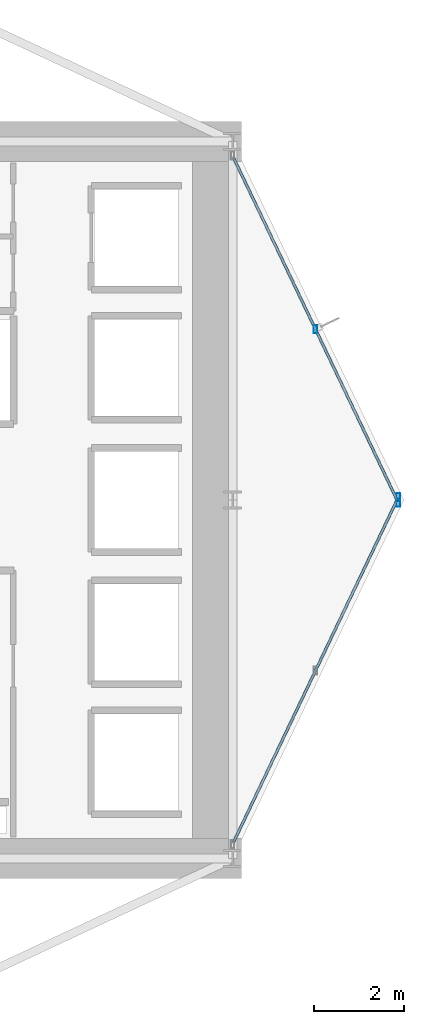
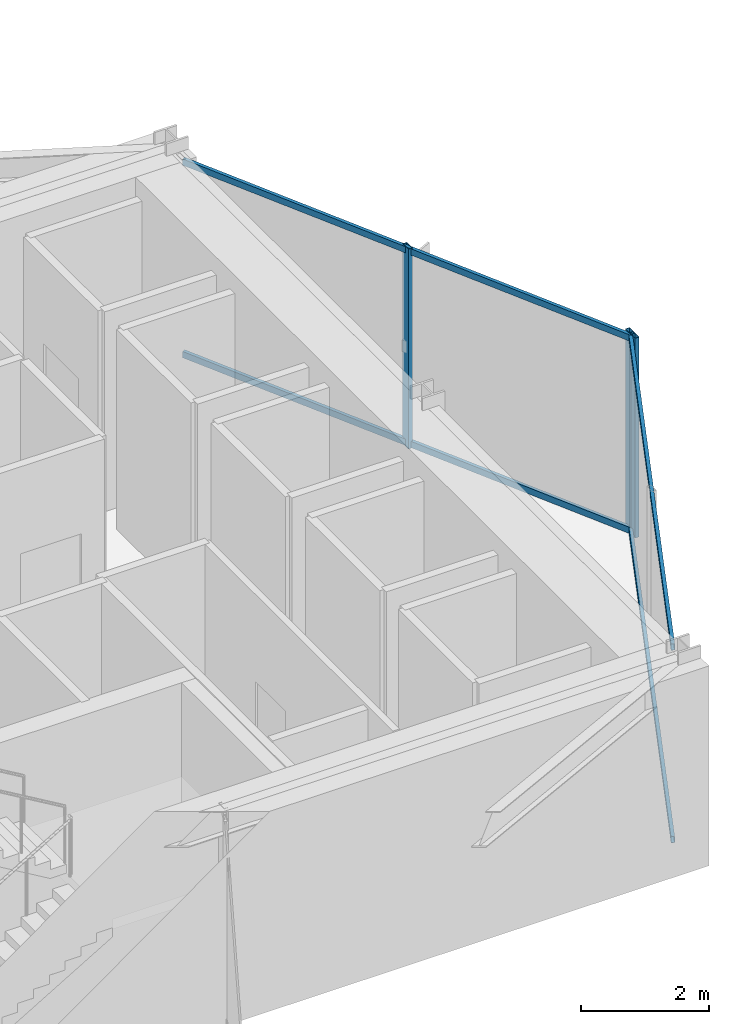
# One storey, part 15 of 25: 7 members, 2 elements without a shape of their own.
"""IFC4 building model written with IfcOpenShell, lengths in metres."""

from ifc_helpers import new_model, si_unit, direction, frame, origin, origin_2d, place, context, subcontext, project, spatial, hollow_rectangle, extrude, material, layer, layer_set, material_profile, profile_set, type_object, element, aggregate, save


model = new_model("IFC4")

# Units and contexts
model_context = context("Model", 3, precision=1e-05, world=origin(), true_north=direction((0.0, 1.0)))
body_context = subcontext(model_context, "Body", "Model", "MODEL_VIEW")
ifc_project = project(units=[si_unit("LENGTHUNIT", "METRE"), si_unit("AREAUNIT", "SQUARE_METRE"), si_unit("VOLUMEUNIT", "CUBIC_METRE"), si_unit("PLANEANGLEUNIT", "RADIAN"), si_unit("MASSUNIT", "GRAM", prefix="KILO")], contexts=[model_context])

# Site, building, storey
site_placement = place(None, origin())
site = spatial("IfcSite", under=ifc_project, at=site_placement, CompositionType="ELEMENT")
building_placement = place(site_placement, origin())
building = spatial("IfcBuilding", under=site, at=building_placement, Name="Veymaron Broadcast Tower", CompositionType="ELEMENT")
storey_placement = place(building_placement, frame((0.0, 0.0, 82.35009765625)))
storey = spatial("IfcBuildingStorey", under=building, at=storey_placement, Name="L18", CompositionType="ELEMENT", Elevation=82.35009765625)

# Curtain wall, member
ifc_material_1 = material(Name="Anodised aluminium AA 6063-T6 and laminated low-E dark glass", Category="aluminium")
ifc_layer = layer(ifc_material_1, 0.179931640625)
ifc_layer_set = layer_set([ifc_layer], Name="Anodised aluminium AA 6063-T6 and laminated low-E dark glass")
curtain_wall_type = type_object("IfcCurtainWallType", Name="CW-SYS-02", PredefinedType="NOTDEFINED", material=ifc_layer_set)
curtain_wall_1_placement = place(storey_placement, origin())
curtain_wall_1 = element("IfcCurtainWall", 1, at=curtain_wall_1_placement, inside=storey, type_object=curtain_wall_type, Name="L18 dark-glass curtain wall CW-L18-E2-1", PredefinedType="NOTDEFINED")
ifc_material_2 = material(Name="Anodised aluminium AA 6063-T6", Category="aluminium")
ifc_material_profile_1 = material_profile(ifc_material_2, hollow_rectangle(XDim=0.074951171875, YDim=0.179931640625, WallThickness=0.0048828125, at=origin_2d()), Name="AL180X75X5")
ifc_profile_set_1 = profile_set([ifc_material_profile_1], Name="Anodised aluminium AA 6063-T6")
member_type_1 = type_object("IfcMemberType", Name="CW-MUL-02", PredefinedType="MULLION", material=ifc_profile_set_1)
member_1_placement = place(storey_placement, frame((58.295654296875, 24.060302734375, 0.0), z_axis=(0.0, 0.0, 1.0), x_axis=(1.0, 0.0, 0.0)))
member_1 = element("IfcMember", 2, at=member_1_placement, type_object=member_type_1, Name="CW-L18-E2-1 mullion 2", PredefinedType="MULLION", context=body_context, shape_type="SweptSolid", body=[
    extrude(hollow_rectangle(XDim=0.074951171875, YDim=0.179931640625, WallThickness=0.0048828125, at=origin_2d()), origin(), (0.0, 0.0, 1.0), 3.809814453125),
])

# Curtain wall, members
curtain_wall_2_placement = place(storey_placement, origin())
curtain_wall_2 = element("IfcCurtainWall", 3, at=curtain_wall_2_placement, inside=storey, type_object=curtain_wall_type, Name="L18 dark-glass curtain wall CW-L18-E3-1", PredefinedType="NOTDEFINED")
member_2_placement = place(storey_placement, frame((58.295654296875, 23.939697265625, 0.0), z_axis=(0.0, 0.0, 1.0), x_axis=(1.0, 0.0, 0.0)))
member_2 = element("IfcMember", 4, at=member_2_placement, type_object=member_type_1, Name="CW-L18-E3-1 mullion 0", PredefinedType="MULLION", context=body_context, shape_type="SweptSolid", body=[
    extrude(hollow_rectangle(XDim=0.074951171875, YDim=0.179931640625, WallThickness=0.0048828125, at=origin_2d()), origin(), (0.0, 0.0, 1.0), 3.809814453125),
])
member_3_placement = place(storey_placement, frame((56.446044921875, 27.811279296875, 0.0), z_axis=(0.0, 0.0, 1.0), x_axis=(1.0, 0.0, 0.0)))
member_3 = element("IfcMember", 5, at=member_3_placement, type_object=member_type_1, Name="CW-L18-E3-1 mullion 1", PredefinedType="MULLION", context=body_context, shape_type="SweptSolid", body=[
    extrude(hollow_rectangle(XDim=0.074951171875, YDim=0.179931640625, WallThickness=0.0048828125, at=origin_2d()), origin(), (0.0, 0.0, 1.0), 3.809814453125),
])

# Member
ifc_material_profile_2 = material_profile(ifc_material_2, hollow_rectangle(XDim=0.06005859375, YDim=0.1201171875, WallThickness=0.00390625, at=origin_2d()), Name="AL120X60X4")
ifc_profile_set_2 = profile_set([ifc_material_profile_2], Name="Anodised aluminium AA 6063-T6")
member_type_2 = type_object("IfcMemberType", Name="CW-TRN-02", PredefinedType="USERDEFINED", material=ifc_profile_set_2)
member_4_placement = place(storey_placement, frame((54.617919921875, 16.362060546875, 0.06982421875), z_axis=(0.431068424187, 0.902319241548, 0.0), x_axis=(-0.902319241548, 0.431068424187, 0.0)))
member_4 = element("IfcMember", 6, at=member_4_placement, type_object=member_type_2, Name="CW-L18-E2-1 transom B", ObjectType="TRANSOM", PredefinedType="USERDEFINED", context=body_context, shape_type="SweptSolid", body=[
    extrude(hollow_rectangle(XDim=0.06005859375, YDim=0.1201171875, WallThickness=0.00390625, at=origin_2d()), origin(), (0.0, 0.0, 1.0), 8.48193359375),
])

member_5_placement = place(storey_placement, frame((54.617919921875, 16.362060546875, 3.739990234375), z_axis=(0.431068424187, 0.902319241548, 0.0), x_axis=(-0.902319241548, 0.431068424187, 0.0)))
member_5 = element("IfcMember", 7, at=member_5_placement, type_object=member_type_2, Name="CW-L18-E2-1 transom T", ObjectType="TRANSOM", PredefinedType="USERDEFINED", context=body_context, shape_type="SweptSolid", body=[
    extrude(hollow_rectangle(XDim=0.06005859375, YDim=0.1201171875, WallThickness=0.00390625, at=origin_2d()), origin(), (0.0, 0.0, 1.0), 8.48193359375),
])

aggregate(curtain_wall_1, [member_1, member_4, member_5])

member_6_placement = place(storey_placement, frame((58.274169921875, 23.984619140625, 0.06982421875), z_axis=(-0.431068424187, 0.902319241548, 0.0), x_axis=(-0.902319241548, -0.431068424187, 0.0)))
member_6 = element("IfcMember", 8, at=member_6_placement, type_object=member_type_2, Name="CW-L18-E3-1 transom B", ObjectType="TRANSOM", PredefinedType="USERDEFINED", context=body_context, shape_type="SweptSolid", body=[
    extrude(hollow_rectangle(XDim=0.06005859375, YDim=0.1201171875, WallThickness=0.00390625, at=origin_2d()), origin(), (0.0, 0.0, 1.0), 8.48193359375),
])

member_7_placement = place(storey_placement, frame((58.274169921875, 23.984619140625, 3.739990234375), z_axis=(-0.431068424187, 0.902319241548, 0.0), x_axis=(-0.902319241548, -0.431068424187, 0.0)))
member_7 = element("IfcMember", 9, at=member_7_placement, type_object=member_type_2, Name="CW-L18-E3-1 transom T", ObjectType="TRANSOM", PredefinedType="USERDEFINED", context=body_context, shape_type="SweptSolid", body=[
    extrude(hollow_rectangle(XDim=0.06005859375, YDim=0.1201171875, WallThickness=0.00390625, at=origin_2d()), origin(), (0.0, 0.0, 1.0), 8.48193359375),
])

aggregate(curtain_wall_2, [member_2, member_3, member_6, member_7])

save(model, "model.ifc")
